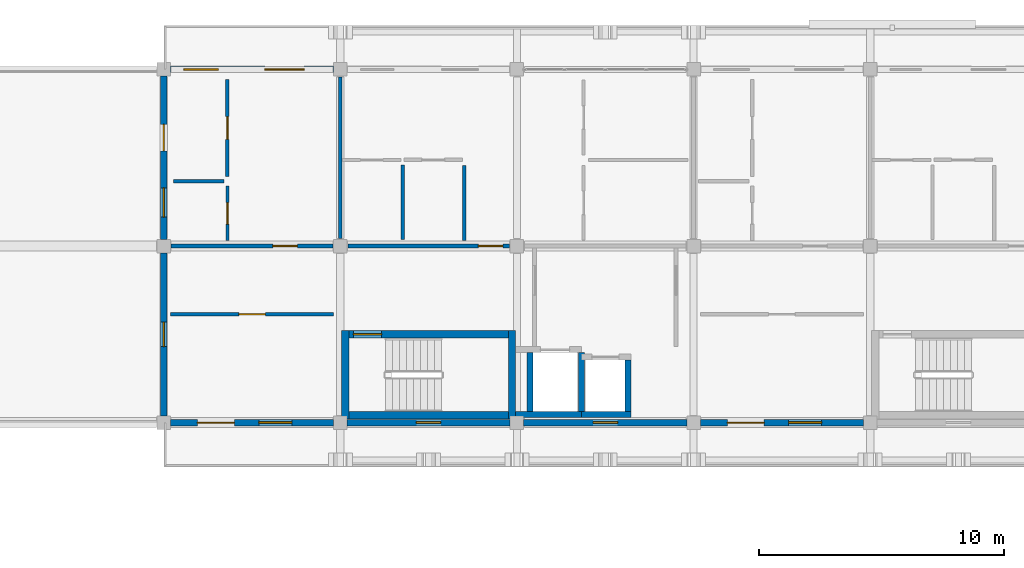
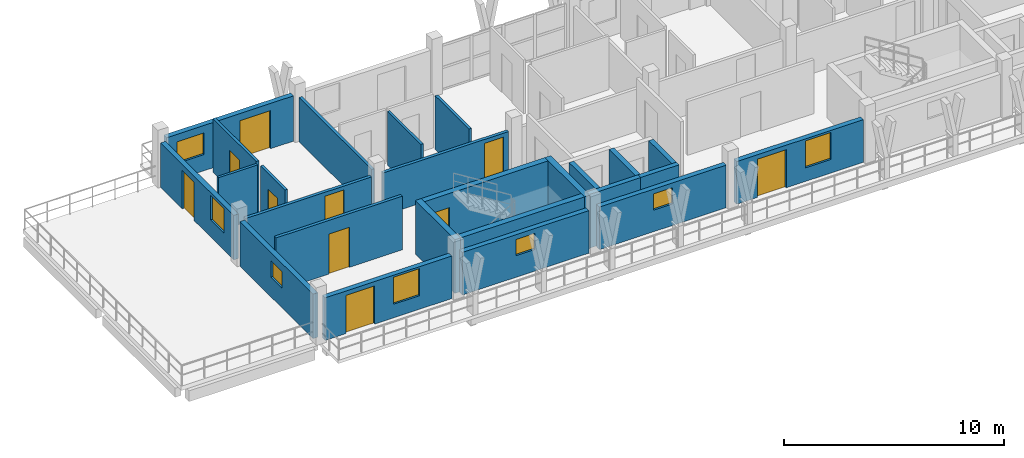
# One storey, part 49 of 73: 25 walls, 10 doors, 7 windows, 17 openings.
"""IFC4 building model written with IfcOpenShell, lengths in metres."""

from ifc_helpers import new_model, si_unit, direction, frame, frame_2d, origin, place, context, subcontext, project, spatial, rectangle, extrude, material, layer, layer_set, type_object, element, fill, save


model = new_model("IFC4")

# Units and contexts
model_context = context("Model", 3, precision=1e-05, world=origin(), true_north=direction((0.0, 1.0)))
body_context = subcontext(model_context, "Body", "Model", "MODEL_VIEW")
ifc_project = project(units=[si_unit("LENGTHUNIT", "METRE"), si_unit("AREAUNIT", "SQUARE_METRE"), si_unit("VOLUMEUNIT", "CUBIC_METRE"), si_unit("PLANEANGLEUNIT", "RADIAN"), si_unit("MASSUNIT", "GRAM", prefix="KILO")], contexts=[model_context])

# Site, building, storey
site_placement = place(None, origin())
site = spatial("IfcSite", under=ifc_project, at=site_placement, CompositionType="ELEMENT")
building_placement = place(site_placement, origin())
building = spatial("IfcBuilding", under=site, at=building_placement, Name="Suanplinth Sawtooth Commons", CompositionType="ELEMENT")
storey_placement = place(building_placement, frame((0.0, 0.0, 21.89990234375)))
storey = spatial("IfcBuildingStorey", under=building, at=storey_placement, Name="L06", CompositionType="ELEMENT", Elevation=21.89990234375)

# Wall
ifc_material_1 = material(Name="Concrete C40/50", Category="concrete")
ifc_layer_1 = layer(ifc_material_1, 0.300048828125, Name="Standard RC stair and lift core wall 300mm")
ifc_layer_set_1 = layer_set([ifc_layer_1], Name="Concrete C40/50")
wall_type_1 = type_object("IfcWallType", Name="W-CR02", PredefinedType="SHEAR", material=ifc_layer_set_1)
wall_1_placement = place(storey_placement, frame((137.14990234375, 108.300048828125, 0.0), z_axis=(0.0, 0.0, 1.0), x_axis=(1.0, 0.0, 0.0)))
element("IfcWall", 1, at=wall_1_placement, inside=storey, type_object=wall_type_1, Name="W-L06-C-B1-STS", PredefinedType="SHEAR", context=body_context, shape_type="SweptSolid", body=[
    extrude(rectangle(XDim=6.5, YDim=0.300048828125, at=frame_2d((3.25, 0.0))), origin(), (0.0, 0.0, 1.0), 2.97998046875),
])

# Wall, opening, door
wall_2_placement = place(storey_placement, frame((137.14990234375, 111.60009765625, 0.0), z_axis=(0.0, 0.0, 1.0), x_axis=(1.0, 0.0, 0.0)))
wall_2 = element("IfcWall", 2, at=wall_2_placement, inside=storey, type_object=wall_type_1, Name="W-L06-C-B1-STN", PredefinedType="SHEAR", context=body_context, shape_type="SweptSolid", body=[
    extrude(rectangle(XDim=6.5, YDim=0.300048828125, at=frame_2d((3.25, 0.0))), origin(), (0.0, 0.0, 1.0), 2.97998046875),
])
opening_1_placement = place(wall_2_placement, frame((0.179931640625, 0.0, 0.0)))
opening_1 = element("IfcOpeningElement", 3, at=opening_1_placement, cuts=wall_2, Name="Opening FD0189", PredefinedType="OPENING", context=body_context, shape_type="SweptSolid", body=[
    extrude(rectangle(XDim=1.14990234375, YDim=2.199951171875, at=frame_2d((0.574951171875, 1.10009765625))), frame((0.0, 0.1650390625, 0.0), z_axis=(0.0, -1.0, 0.0), x_axis=(1.0, 0.0, 0.0)), (0.0, 0.0, 1.0), 0.329833984375),
])
ifc_material_2 = material(Name="Teak hardwood fire-rated door assembly", Category="wood")
door_type_1 = type_object("IfcDoorType", Name="FD-01", OperationType="NOTDEFINED", PredefinedType="DOOR", material=ifc_material_2)
door_1_placement = place(opening_1_placement, frame((1.14990234375, 0.0, 0.0), z_axis=(0.0, 0.0, 1.0), x_axis=(-1.0, 0.0, 0.0)))
door_1 = element("IfcDoor", 4, at=door_1_placement, inside=storey, type_object=door_type_1, Name="Exit Stair Fire Door FD0189", OperationType="SINGLE_SWING_LEFT", OverallHeight=2.199951171875, OverallWidth=1.14990234375, PredefinedType="DOOR", context=body_context, shape_type="SweptSolid", body=[
    extrude(rectangle(XDim=1.14990234375, YDim=2.199951171875, at=frame_2d((0.574951171875, 1.10009765625))), frame((0.0, 0.02490234375, 0.0), z_axis=(0.0, -1.0, 0.0), x_axis=(1.0, 0.0, 0.0)), (0.0, 0.0, 1.0), 0.050048828125),
])
fill(opening_1, door_1)

# Walls
for number, where, z_axis, x_axis, name in (
    (5, (137.0, 108.14990234375, 0.0), (0.0, 0.0, 1.0), (0.0, 1.0, 0.0), "W-L06-C-B1-STW"),
    (6, (143.800048828125, 108.14990234375, 0.0), (0.0, 0.0, 1.0), (0.0, 1.0, 0.0), "W-L06-C-B1-STE"),
):
    element("IfcWall", number, at=place(storey_placement, frame(where, z_axis=z_axis, x_axis=x_axis)), inside=storey, type_object=wall_type_1, Name=name, PredefinedType="SHEAR", context=body_context, shape_type="SweptSolid", body=[
        extrude(rectangle(XDim=3.60009765625, YDim=0.300048828125, at=frame_2d((1.800048828125, 0.0))), origin(), (0.0, 0.0, 1.0), 2.97998046875),
    ])

# Wall, openings, door, window
ifc_material_3 = material(Name="Precast concrete C40/50", Category="concrete")
ifc_layer_2 = layer(ifc_material_3, 0.260009765625, Name="Insulated precast courtyard facade wall 260mm")
ifc_layer_set_2 = layer_set([ifc_layer_2], Name="Precast concrete C40/50")
wall_type_2 = type_object("IfcWallType", Name="W-EX02", PredefinedType="ELEMENTEDWALL", material=ifc_layer_set_2)
wall_3_placement = place(storey_placement, frame((129.875, 108.0, 0.0), z_axis=(0.0, 0.0, 1.0), x_axis=(1.0, 0.0, 0.0)))
wall_3 = element("IfcWall", 7, at=wall_3_placement, inside=storey, type_object=wall_type_2, Name="Facade Wall W-L06-B-S-18-15", PredefinedType="ELEMENTEDWALL", context=body_context, shape_type="SweptSolid", body=[
    extrude(rectangle(XDim=6.64990234375, YDim=0.260009765625, at=frame_2d((3.324951171875, 0.0))), origin(), (0.0, 0.0, 1.0), 2.364990234375),
])
opening_2_placement = place(wall_3_placement, frame((1.10009765625, 0.0, 0.0)))
opening_2 = element("IfcOpeningElement", 8, at=opening_2_placement, cuts=wall_3, Name="Opening ED0499", PredefinedType="OPENING", context=body_context, shape_type="SweptSolid", body=[
    extrude(rectangle(XDim=1.5, YDim=2.1201171875, at=frame_2d((0.75, 1.06005859375))), frame((0.0, 0.14501953125, 0.0), z_axis=(0.0, -1.0, 0.0), x_axis=(1.0, 0.0, 0.0)), (0.0, 0.0, 1.0), 0.289794921875),
])
opening_3_placement = place(wall_3_placement, frame((3.60009765625, 0.0, 0.7548828125)))
opening_3 = element("IfcOpeningElement", 9, at=opening_3_placement, cuts=wall_3, Name="Opening W0583", PredefinedType="OPENING", context=body_context, shape_type="SweptSolid", body=[
    extrude(rectangle(XDim=1.35009765625, YDim=1.5, at=frame_2d((0.675048828125, 0.75))), frame((0.0, 0.14501953125, 0.0), z_axis=(0.0, -1.0, 0.0), x_axis=(1.0, 0.0, 0.0)), (0.0, 0.0, 1.0), 0.289794921875),
])
ifc_material_4 = material(Name="Anodized aluminium and low-E glass", Category="aluminium")
door_type_2 = type_object("IfcDoorType", Name="SD-03", OperationType="SLIDING_TO_LEFT", PredefinedType="DOOR", material=ifc_material_4)
door_2_placement = place(opening_2_placement, frame((1.5, 0.0, 0.0), z_axis=(0.0, 0.0, 1.0), x_axis=(-1.0, 0.0, 0.0)))
door_2 = element("IfcDoor", 10, at=door_2_placement, inside=storey, type_object=door_type_2, Name="Courtyard Balcony Door L06-B-18", OperationType="SLIDING_TO_LEFT", OverallHeight=2.1201171875, OverallWidth=1.5, PredefinedType="DOOR", context=body_context, shape_type="SweptSolid", body=[
    extrude(rectangle(XDim=1.5, YDim=2.1201171875, at=frame_2d((0.75, 1.06005859375))), frame((0.0, 0.02490234375, 0.0), z_axis=(0.0, -1.0, 0.0), x_axis=(1.0, 0.0, 0.0)), (0.0, 0.0, 1.0), 0.050048828125),
])
fill(opening_2, door_2)
ifc_material_5 = material(Name="Thermally broken aluminium and low-E double glazing", Category="aluminium")
window_type_1 = type_object("IfcWindowType", Name="WN-14", PartitioningType="SINGLE_PANEL", PredefinedType="WINDOW", material=ifc_material_5)
window_1_placement = place(opening_3_placement, origin())
window_1 = element("IfcWindow", 11, at=window_1_placement, inside=storey, type_object=window_type_1, Name="Courtyard Window L06-B-18", OverallHeight=1.5, OverallWidth=1.35009765625, PartitioningType="SINGLE_PANEL", PredefinedType="WINDOW", context=body_context, shape_type="SweptSolid", body=[
    extrude(rectangle(XDim=1.35009765625, YDim=1.5, at=frame_2d((0.675048828125, 0.75))), frame((0.0, 0.030029296875, 0.0), z_axis=(0.0, -1.0, 0.0), x_axis=(1.0, 0.0, 0.0)), (0.0, 0.0, 1.0), 0.06005859375),
])
fill(opening_3, window_1)

# Wall, opening, window
wall_4_placement = place(storey_placement, frame((129.60009765625, 108.27490234375, 0.0), z_axis=(0.0, 0.0, 1.0), x_axis=(0.0, 1.0, 0.0)))
wall_4 = element("IfcWall", 12, at=wall_4_placement, inside=storey, type_object=wall_type_2, Name="Facade Wall W-L06-B-W-18-15", PredefinedType="ELEMENTEDWALL", context=body_context, shape_type="SweptSolid", body=[
    extrude(rectangle(XDim=6.650146484375, YDim=0.260009765625, at=frame_2d((3.3251953125, 0.0))), origin(), (0.0, 0.0, 1.0), 2.465087890625),
])
opening_4_placement = place(wall_4_placement, frame((2.824951171875, 0.0, 1.10009765625)))
opening_4 = element("IfcOpeningElement", 13, at=opening_4_placement, cuts=wall_4, Name="Opening W0584", PredefinedType="OPENING", context=body_context, shape_type="SweptSolid", body=[
    extrude(rectangle(XDim=1.0, YDim=0.89990234375, at=frame_2d((0.5, 0.449951171875))), frame((0.0, 0.14501953125, 0.0), z_axis=(0.0, -1.0, 0.0), x_axis=(1.0, 0.0, 0.0)), (0.0, 0.0, 1.0), 0.289794921875),
])
window_type_2 = type_object("IfcWindowType", Name="WN-12", PartitioningType="SINGLE_PANEL", PredefinedType="WINDOW", material=ifc_material_5)
window_2_placement = place(opening_4_placement, origin())
window_2 = element("IfcWindow", 14, at=window_2_placement, inside=storey, type_object=window_type_2, Name="End Window L06-B-W-18-15", OverallHeight=0.89990234375, OverallWidth=1.0, PartitioningType="SINGLE_PANEL", PredefinedType="WINDOW", context=body_context, shape_type="SweptSolid", body=[
    extrude(rectangle(XDim=1.0, YDim=0.89990234375, at=frame_2d((0.5, 0.449951171875))), frame((0.0, 0.030029296875, 0.0), z_axis=(0.0, -1.0, 0.0), x_axis=(1.0, 0.0, 0.0)), (0.0, 0.0, 1.0), 0.06005859375),
])
fill(opening_4, window_2)

# Wall, openings, door, window
wall_5_placement = place(storey_placement, frame((129.875, 122.39990234375, 0.0), z_axis=(0.0, 0.0, 1.0), x_axis=(1.0, 0.0, 0.0)))
wall_5 = element("IfcWall", 15, at=wall_5_placement, inside=storey, type_object=wall_type_2, Name="Facade Wall W-L06-B-N-18-16", PredefinedType="ELEMENTEDWALL", context=body_context, shape_type="SweptSolid", body=[
    extrude(rectangle(XDim=6.64990234375, YDim=0.260009765625, at=frame_2d((3.324951171875, 0.0))), origin(), (0.0, 0.0, 1.0), 2.51513671875),
])
opening_5_placement = place(wall_5_placement, frame((3.85009765625, 0.0, 0.0)))
opening_5 = element("IfcOpeningElement", 16, at=opening_5_placement, cuts=wall_5, Name="Opening ED0500", PredefinedType="OPENING", context=body_context, shape_type="SweptSolid", body=[
    extrude(rectangle(XDim=1.60009765625, YDim=2.1201171875, at=frame_2d((0.800048828125, 1.06005859375))), frame((0.0, 0.14501953125, 0.0), z_axis=(0.0, -1.0, 0.0), x_axis=(1.0, 0.0, 0.0)), (0.0, 0.0, 1.0), 0.289794921875),
])
opening_6_placement = place(wall_5_placement, frame((0.550048828125, 0.0, 0.89990234375)))
opening_6 = element("IfcOpeningElement", 17, at=opening_6_placement, cuts=wall_5, Name="Opening W0585", PredefinedType="OPENING", context=body_context, shape_type="SweptSolid", body=[
    extrude(rectangle(XDim=1.39990234375, YDim=1.199951171875, at=frame_2d((0.699951171875, 0.60009765625))), frame((0.0, 0.14501953125, 0.0), z_axis=(0.0, -1.0, 0.0), x_axis=(1.0, 0.0, 0.0)), (0.0, 0.0, 1.0), 0.289794921875),
])
door_type_3 = type_object("IfcDoorType", Name="SD-02", OperationType="SLIDING_TO_RIGHT", PredefinedType="DOOR", material=ifc_material_4)
door_3_placement = place(opening_5_placement, frame((1.60009765625, 0.0, 0.0), z_axis=(0.0, 0.0, 1.0), x_axis=(-1.0, 0.0, 0.0)))
door_3 = element("IfcDoor", 18, at=door_3_placement, inside=storey, type_object=door_type_3, Name="Balcony Sliding Door L06-B-18", OperationType="SLIDING_TO_RIGHT", OverallHeight=2.1201171875, OverallWidth=1.60009765625, PredefinedType="DOOR", context=body_context, shape_type="SweptSolid", body=[
    extrude(rectangle(XDim=1.60009765625, YDim=2.1201171875, at=frame_2d((0.800048828125, 1.06005859375))), frame((0.0, 0.02490234375, 0.0), z_axis=(0.0, -1.0, 0.0), x_axis=(1.0, 0.0, 0.0)), (0.0, 0.0, 1.0), 0.050048828125),
])
fill(opening_5, door_3)
window_type_3 = type_object("IfcWindowType", Name="WN-10", PartitioningType="DOUBLE_PANEL_HORIZONTAL", PredefinedType="WINDOW", material=ifc_material_5)
window_3_placement = place(opening_6_placement, origin())
window_3 = element("IfcWindow", 19, at=window_3_placement, inside=storey, type_object=window_type_3, Name="Apartment Window L06-B-18", OverallHeight=1.199951171875, OverallWidth=1.39990234375, PartitioningType="DOUBLE_PANEL_HORIZONTAL", PredefinedType="WINDOW", context=body_context, shape_type="SweptSolid", body=[
    extrude(rectangle(XDim=1.39990234375, YDim=1.199951171875, at=frame_2d((0.699951171875, 0.60009765625))), frame((0.0, 0.030029296875, 0.0), z_axis=(0.0, -1.0, 0.0), x_axis=(1.0, 0.0, 0.0)), (0.0, 0.0, 1.0), 0.06005859375),
])
fill(opening_6, window_3)

wall_6_placement = place(storey_placement, frame((129.60009765625, 115.47509765625, 0.0), z_axis=(0.0, 0.0, 1.0), x_axis=(0.0, 1.0, 0.0)))
wall_6 = element("IfcWall", 20, at=wall_6_placement, inside=storey, type_object=wall_type_2, Name="Facade Wall W-L06-B-W-18-16", PredefinedType="ELEMENTEDWALL", context=body_context, shape_type="SweptSolid", body=[
    extrude(rectangle(XDim=6.64990234375, YDim=0.260009765625, at=frame_2d((3.324951171875, 0.0))), origin(), (0.0, 0.0, 1.0), 2.465087890625),
])
opening_7_placement = place(wall_6_placement, frame((3.60009765625, 0.0, 0.0)))
opening_7 = element("IfcOpeningElement", 21, at=opening_7_placement, cuts=wall_6, Name="Opening ED0501", PredefinedType="OPENING", context=body_context, shape_type="SweptSolid", body=[
    extrude(rectangle(XDim=1.080078125, YDim=2.1201171875, at=frame_2d((0.5400390625, 1.06005859375))), frame((0.0, 0.14501953125, 0.0), z_axis=(0.0, -1.0, 0.0), x_axis=(1.0, 0.0, 0.0)), (0.0, 0.0, 1.0), 0.289794921875),
])
opening_8_placement = place(wall_6_placement, frame((0.89990234375, 0.0, 0.949951171875)))
opening_8 = element("IfcOpeningElement", 22, at=opening_8_placement, cuts=wall_6, Name="Opening W0586", PredefinedType="OPENING", context=body_context, shape_type="SweptSolid", body=[
    extrude(rectangle(XDim=1.199951171875, YDim=1.35009765625, at=frame_2d((0.60009765625, 0.675048828125))), frame((0.0, 0.14501953125, 0.0), z_axis=(0.0, -1.0, 0.0), x_axis=(1.0, 0.0, 0.0)), (0.0, 0.0, 1.0), 0.289794921875),
])
door_type_4 = type_object("IfcDoorType", Name="ED-10", OperationType="NOTDEFINED", PredefinedType="DOOR", material=ifc_material_4)
door_4_placement = place(opening_7_placement, frame((1.080078125, 0.0, 0.0), z_axis=(0.0, 0.0, 1.0), x_axis=(-1.0, 0.0, 0.0)))
door_4 = element("IfcDoor", 23, at=door_4_placement, inside=storey, type_object=door_type_4, Name="L06 Block B Stepped Sky-Terrace Door 1", OperationType="SINGLE_SWING_RIGHT", OverallHeight=2.1201171875, OverallWidth=1.080078125, PredefinedType="DOOR", context=body_context, shape_type="SweptSolid", body=[
    extrude(rectangle(XDim=1.080078125, YDim=2.1201171875, at=frame_2d((0.5400390625, 1.06005859375))), frame((0.0, 0.02490234375, 0.0), z_axis=(0.0, -1.0, 0.0), x_axis=(1.0, 0.0, 0.0)), (0.0, 0.0, 1.0), 0.050048828125),
])
fill(opening_7, door_4)
window_type_4 = type_object("IfcWindowType", Name="WN-03", PartitioningType="SINGLE_PANEL", PredefinedType="WINDOW", material=ifc_material_5)
window_4_placement = place(opening_8_placement, origin())
window_4 = element("IfcWindow", 24, at=window_4_placement, inside=storey, type_object=window_type_4, Name="Terrace Bedroom Window L06-B-18-16", OverallHeight=1.35009765625, OverallWidth=1.199951171875, PartitioningType="SINGLE_PANEL", PredefinedType="WINDOW", context=body_context, shape_type="SweptSolid", body=[
    extrude(rectangle(XDim=1.199951171875, YDim=1.35009765625, at=frame_2d((0.60009765625, 0.675048828125))), frame((0.0, 0.030029296875, 0.0), z_axis=(0.0, -1.0, 0.0), x_axis=(1.0, 0.0, 0.0)), (0.0, 0.0, 1.0), 0.06005859375),
])
fill(opening_8, window_4)

# Wall, opening, window
wall_7_placement = place(storey_placement, frame((137.074951171875, 108.0, 0.0), z_axis=(0.0, 0.0, 1.0), x_axis=(1.0, 0.0, 0.0)))
wall_7 = element("IfcWall", 25, at=wall_7_placement, inside=storey, type_object=wall_type_2, Name="Facade Wall W-L06-B-S-19-15", PredefinedType="ELEMENTEDWALL", context=body_context, shape_type="SweptSolid", body=[
    extrude(rectangle(XDim=6.650146484375, YDim=0.260009765625, at=frame_2d((3.3251953125, 0.0))), origin(), (0.0, 0.0, 1.0), 2.364990234375),
])
opening_9_placement = place(wall_7_placement, frame((2.824951171875, 0.0, 1.199951171875)))
opening_9 = element("IfcOpeningElement", 26, at=opening_9_placement, cuts=wall_7, Name="Opening W0587", PredefinedType="OPENING", context=body_context, shape_type="SweptSolid", body=[
    extrude(rectangle(XDim=1.0, YDim=0.89990234375, at=frame_2d((0.5, 0.449951171875))), frame((0.0, 0.14501953125, 0.0), z_axis=(0.0, -1.0, 0.0), x_axis=(1.0, 0.0, 0.0)), (0.0, 0.0, 1.0), 0.289794921875),
])
window_5_placement = place(opening_9_placement, origin())
window_5 = element("IfcWindow", 27, at=window_5_placement, inside=storey, type_object=window_type_2, Name="Core Daylight Window L06-B-19-15", OverallHeight=0.89990234375, OverallWidth=1.0, PartitioningType="SINGLE_PANEL", PredefinedType="WINDOW", context=body_context, shape_type="SweptSolid", body=[
    extrude(rectangle(XDim=1.0, YDim=0.89990234375, at=frame_2d((0.5, 0.449951171875))), frame((0.0, 0.030029296875, 0.0), z_axis=(0.0, -1.0, 0.0), x_axis=(1.0, 0.0, 0.0)), (0.0, 0.0, 1.0), 0.06005859375),
])
fill(opening_9, window_5)

wall_8_placement = place(storey_placement, frame((144.27490234375, 108.0, 0.0), z_axis=(0.0, 0.0, 1.0), x_axis=(1.0, 0.0, 0.0)))
wall_8 = element("IfcWall", 28, at=wall_8_placement, inside=storey, type_object=wall_type_2, Name="Facade Wall W-L06-B-S-20-15", PredefinedType="ELEMENTEDWALL", context=body_context, shape_type="SweptSolid", body=[
    extrude(rectangle(XDim=6.650146484375, YDim=0.260009765625, at=frame_2d((3.3251953125, 0.0))), origin(), (0.0, 0.0, 1.0), 2.364990234375),
])
opening_10_placement = place(wall_8_placement, frame((2.824951171875, 0.0, 1.199951171875)))
opening_10 = element("IfcOpeningElement", 29, at=opening_10_placement, cuts=wall_8, Name="Opening W0589", PredefinedType="OPENING", context=body_context, shape_type="SweptSolid", body=[
    extrude(rectangle(XDim=1.0, YDim=0.89990234375, at=frame_2d((0.5, 0.449951171875))), frame((0.0, 0.14501953125, 0.0), z_axis=(0.0, -1.0, 0.0), x_axis=(1.0, 0.0, 0.0)), (0.0, 0.0, 1.0), 0.289794921875),
])
window_6_placement = place(opening_10_placement, origin())
window_6 = element("IfcWindow", 30, at=window_6_placement, inside=storey, type_object=window_type_2, Name="Core Daylight Window L06-B-20-15", OverallHeight=0.89990234375, OverallWidth=1.0, PartitioningType="SINGLE_PANEL", PredefinedType="WINDOW", context=body_context, shape_type="SweptSolid", body=[
    extrude(rectangle(XDim=1.0, YDim=0.89990234375, at=frame_2d((0.5, 0.449951171875))), frame((0.0, 0.030029296875, 0.0), z_axis=(0.0, -1.0, 0.0), x_axis=(1.0, 0.0, 0.0)), (0.0, 0.0, 1.0), 0.06005859375),
])
fill(opening_10, window_6)

# Wall, openings, door, window
wall_9_placement = place(storey_placement, frame((151.47509765625, 108.0, 0.0), z_axis=(0.0, 0.0, 1.0), x_axis=(1.0, 0.0, 0.0)))
wall_9 = element("IfcWall", 31, at=wall_9_placement, inside=storey, type_object=wall_type_2, Name="Facade Wall W-L06-B-S-21-15", PredefinedType="ELEMENTEDWALL", context=body_context, shape_type="SweptSolid", body=[
    extrude(rectangle(XDim=6.64990234375, YDim=0.260009765625, at=frame_2d((3.324951171875, 0.0))), origin(), (0.0, 0.0, 1.0), 2.364990234375),
])
opening_11_placement = place(wall_9_placement, frame((1.10009765625, 0.0, 0.0)))
opening_11 = element("IfcOpeningElement", 32, at=opening_11_placement, cuts=wall_9, Name="Opening ED0503", PredefinedType="OPENING", context=body_context, shape_type="SweptSolid", body=[
    extrude(rectangle(XDim=1.5, YDim=2.1201171875, at=frame_2d((0.75, 1.06005859375))), frame((0.0, 0.14501953125, 0.0), z_axis=(0.0, -1.0, 0.0), x_axis=(1.0, 0.0, 0.0)), (0.0, 0.0, 1.0), 0.289794921875),
])
opening_12_placement = place(wall_9_placement, frame((3.60009765625, 0.0, 0.7548828125)))
opening_12 = element("IfcOpeningElement", 33, at=opening_12_placement, cuts=wall_9, Name="Opening W0590", PredefinedType="OPENING", context=body_context, shape_type="SweptSolid", body=[
    extrude(rectangle(XDim=1.35009765625, YDim=1.5, at=frame_2d((0.675048828125, 0.75))), frame((0.0, 0.14501953125, 0.0), z_axis=(0.0, -1.0, 0.0), x_axis=(1.0, 0.0, 0.0)), (0.0, 0.0, 1.0), 0.289794921875),
])
door_5_placement = place(opening_11_placement, frame((1.5, 0.0, 0.0), z_axis=(0.0, 0.0, 1.0), x_axis=(-1.0, 0.0, 0.0)))
door_5 = element("IfcDoor", 34, at=door_5_placement, inside=storey, type_object=door_type_2, Name="Courtyard Balcony Door L06-B-21", OperationType="SLIDING_TO_LEFT", OverallHeight=2.1201171875, OverallWidth=1.5, PredefinedType="DOOR", context=body_context, shape_type="SweptSolid", body=[
    extrude(rectangle(XDim=1.5, YDim=2.1201171875, at=frame_2d((0.75, 1.06005859375))), frame((0.0, 0.02490234375, 0.0), z_axis=(0.0, -1.0, 0.0), x_axis=(1.0, 0.0, 0.0)), (0.0, 0.0, 1.0), 0.050048828125),
])
fill(opening_11, door_5)
window_7_placement = place(opening_12_placement, origin())
window_7 = element("IfcWindow", 35, at=window_7_placement, inside=storey, type_object=window_type_1, Name="Courtyard Window L06-B-21", OverallHeight=1.5, OverallWidth=1.35009765625, PartitioningType="SINGLE_PANEL", PredefinedType="WINDOW", context=body_context, shape_type="SweptSolid", body=[
    extrude(rectangle(XDim=1.35009765625, YDim=1.5, at=frame_2d((0.675048828125, 0.75))), frame((0.0, 0.030029296875, 0.0), z_axis=(0.0, -1.0, 0.0), x_axis=(1.0, 0.0, 0.0)), (0.0, 0.0, 1.0), 0.06005859375),
])
fill(opening_12, window_7)

# Wall, opening, door
ifc_layer_3 = layer(ifc_material_3, 0.159912109375, Name="Fire-rated corridor and lobby wall 160mm")
ifc_layer_set_3 = layer_set([ifc_layer_3], Name="Precast concrete C40/50")
wall_type_3 = type_object("IfcWallType", Name="W-FW01", PredefinedType="PARTITIONING", material=ifc_layer_set_3)
wall_10_placement = place(storey_placement, frame((129.905029296875, 115.199951171875, 0.0), z_axis=(0.0, 0.0, 1.0), x_axis=(1.0, 0.0, 0.0)))
wall_10 = element("IfcWall", 36, at=wall_10_placement, inside=storey, type_object=wall_type_3, Name="W-B-L06-U01-COR", PredefinedType="PARTITIONING", context=body_context, shape_type="SweptSolid", body=[
    extrude(rectangle(XDim=6.590087890625, YDim=0.159912109375, at=frame_2d((3.294921875, 0.0))), origin(), (0.0, 0.0, 1.0), 2.364990234375),
])
opening_13_placement = place(wall_10_placement, frame((4.14501953125, 0.0, 0.0)))
opening_13 = element("IfcOpeningElement", 37, at=opening_13_placement, cuts=wall_10, Name="Opening FD1404", PredefinedType="OPENING", context=body_context, shape_type="SweptSolid", body=[
    extrude(rectangle(XDim=1.0, YDim=2.14990234375, at=frame_2d((0.5, 1.074951171875))), frame((0.0, 0.0947265625, 0.0), z_axis=(0.0, -1.0, 0.0), x_axis=(1.0, 0.0, 0.0)), (0.0, 0.0, 1.0), 0.189697265625),
])
door_type_5 = type_object("IfcDoorType", Name="FD-03", OperationType="NOTDEFINED", PredefinedType="DOOR", material=ifc_material_2)
door_6_placement = place(opening_13_placement, origin())
door_6 = element("IfcDoor", 38, at=door_6_placement, inside=storey, type_object=door_type_5, Name="Unit Entrance Door FD1404", OperationType="SINGLE_SWING_RIGHT", OverallHeight=2.14990234375, OverallWidth=1.0, PredefinedType="DOOR", context=body_context, shape_type="SweptSolid", body=[
    extrude(rectangle(XDim=1.0, YDim=2.14990234375, at=frame_2d((0.5, 1.074951171875))), frame((0.0, 0.02490234375, 0.0), z_axis=(0.0, -1.0, 0.0), x_axis=(1.0, 0.0, 0.0)), (0.0, 0.0, 1.0), 0.050048828125),
])
fill(opening_13, door_6)

wall_11_placement = place(storey_placement, frame((137.10498046875, 115.199951171875, 0.0), z_axis=(0.0, 0.0, 1.0), x_axis=(1.0, 0.0, 0.0)))
wall_11 = element("IfcWall", 39, at=wall_11_placement, inside=storey, type_object=wall_type_3, Name="W-B-L06-U02-COR-S1", PredefinedType="PARTITIONING", context=body_context, shape_type="SweptSolid", body=[
    extrude(rectangle(XDim=6.590087890625, YDim=0.159912109375, at=frame_2d((3.294921875, 0.0))), origin(), (0.0, 0.0, 1.0), 2.364990234375),
])
opening_14_placement = place(wall_11_placement, frame((5.324951171875, 0.0, 0.0)))
opening_14 = element("IfcOpeningElement", 40, at=opening_14_placement, cuts=wall_11, Name="Opening FD1407", PredefinedType="OPENING", context=body_context, shape_type="SweptSolid", body=[
    extrude(rectangle(XDim=1.0, YDim=2.14990234375, at=frame_2d((0.5, 1.074951171875))), frame((0.0, 0.0947265625, 0.0), z_axis=(0.0, -1.0, 0.0), x_axis=(1.0, 0.0, 0.0)), (0.0, 0.0, 1.0), 0.189697265625),
])
door_7_placement = place(opening_14_placement, origin())
door_7 = element("IfcDoor", 41, at=door_7_placement, inside=storey, type_object=door_type_5, Name="Unit Entrance Door FD1407", OperationType="SINGLE_SWING_LEFT", OverallHeight=2.14990234375, OverallWidth=1.0, PredefinedType="DOOR", context=body_context, shape_type="SweptSolid", body=[
    extrude(rectangle(XDim=1.0, YDim=2.14990234375, at=frame_2d((0.5, 1.074951171875))), frame((0.0, 0.02490234375, 0.0), z_axis=(0.0, -1.0, 0.0), x_axis=(1.0, 0.0, 0.0)), (0.0, 0.0, 1.0), 0.050048828125),
])
fill(opening_14, door_7)

wall_12_placement = place(storey_placement, frame((129.8798828125, 112.419921875, 0.0), z_axis=(0.0, 0.0, 1.0), x_axis=(1.0, 0.0, 0.0)))
wall_12 = element("IfcWall", 42, at=wall_12_placement, inside=storey, type_object=wall_type_3, Name="W-B-L06-COURTROOM-27-COR", PredefinedType="PARTITIONING", context=body_context, shape_type="SweptSolid", body=[
    extrude(rectangle(XDim=6.64013671875, YDim=0.159912109375, at=frame_2d((3.320068359375, 0.0))), origin(), (0.0, 0.0, 1.0), 2.97998046875),
])
opening_15_placement = place(wall_12_placement, frame((2.780029296875, 0.0, 0.0)))
opening_15 = element("IfcOpeningElement", 43, at=opening_15_placement, cuts=wall_12, Name="Opening D1427", PredefinedType="OPENING", context=body_context, shape_type="SweptSolid", body=[
    extrude(rectangle(XDim=1.080078125, YDim=2.219970703125, at=frame_2d((0.5400390625, 1.10986328125))), frame((0.0, 0.0947265625, 0.0), z_axis=(0.0, -1.0, 0.0), x_axis=(1.0, 0.0, 0.0)), (0.0, 0.0, 1.0), 0.189697265625),
])
ifc_material_6 = material(Name="Teak hardwood", Category="wood")
door_type_6 = type_object("IfcDoorType", Name="D-17", OperationType="NOTDEFINED", PredefinedType="DOOR", material=ifc_material_6)
door_8_placement = place(opening_15_placement, frame((1.080078125, 0.0, 0.0), z_axis=(0.0, 0.0, 1.0), x_axis=(-1.0, 0.0, 0.0)))
door_8 = element("IfcDoor", 44, at=door_8_placement, inside=storey, type_object=door_type_6, Name="Study Studio Door D1427", OperationType="SINGLE_SWING_LEFT", OverallHeight=2.219970703125, OverallWidth=1.080078125, PredefinedType="DOOR", context=body_context, shape_type="SweptSolid", body=[
    extrude(rectangle(XDim=1.080078125, YDim=2.219970703125, at=frame_2d((0.5400390625, 1.10986328125))), frame((0.0, 0.02490234375, 0.0), z_axis=(0.0, -1.0, 0.0), x_axis=(1.0, 0.0, 0.0)), (0.0, 0.0, 1.0), 0.050048828125),
])
fill(opening_15, door_8)

# Wall
ifc_layer_4 = layer(ifc_material_3, 0.14990234375, Name="Acoustic precast party demising wall 150mm")
ifc_layer_set_4 = layer_set([ifc_layer_4], Name="Precast concrete C40/50")
wall_type_4 = type_object("IfcWallType", Name="W-FW02", PredefinedType="PARTITIONING", material=ifc_layer_set_4)
wall_13_placement = place(storey_placement, frame((136.800048828125, 115.5048828125, 0.0), z_axis=(0.0, 0.0, 1.0), x_axis=(0.0, 1.0, 0.0)))
element("IfcWall", 45, at=wall_13_placement, inside=storey, type_object=wall_type_4, Name="W-B-L06-U01-PTY", PredefinedType="PARTITIONING", context=body_context, shape_type="SweptSolid", body=[
    extrude(rectangle(XDim=6.590087890625, YDim=0.14990234375, at=frame_2d((3.294921875, 0.0))), origin(), (0.0, 0.0, 1.0), 2.465087890625),
])

# Wall, opening, door
ifc_material_7 = material(Name="Gypsum plasterboard on steel stud", Category="steel")
ifc_layer_5 = layer(ifc_material_7, 0.139892578125, Name="Fire-rated kitchen partition 140mm")
ifc_layer_set_5 = layer_set([ifc_layer_5], Name="Gypsum plasterboard on steel stud")
wall_type_5 = type_object("IfcWallType", Name="W-PT01", PredefinedType="PARTITIONING", material=ifc_layer_set_5)
wall_14_placement = place(storey_placement, frame((132.195068359375, 118.0400390625, 0.0), z_axis=(0.0, 0.0, 1.0), x_axis=(0.0, 1.0, 0.0)))
wall_14 = element("IfcWall", 46, at=wall_14_placement, inside=storey, type_object=wall_type_5, Name="W-B-L06-U01-KITE", PredefinedType="PARTITIONING", context=body_context, shape_type="SweptSolid", body=[
    extrude(rectangle(XDim=3.93994140625, YDim=0.139892578125, at=frame_2d((1.969970703125, 0.0))), origin(), (0.0, 0.0, 1.0), 2.97998046875),
])
opening_16_placement = place(wall_14_placement, frame((1.5048828125, 0.0, 0.0)))
opening_16 = element("IfcOpeningElement", 47, at=opening_16_placement, cuts=wall_14, Name="Opening D1406", PredefinedType="OPENING", context=body_context, shape_type="SweptSolid", body=[
    extrude(rectangle(XDim=0.929931640625, YDim=2.139892578125, at=frame_2d((0.46484375, 1.06982421875))), frame((0.0, 0.0849609375, 0.0), z_axis=(0.0, -1.0, 0.0), x_axis=(1.0, 0.0, 0.0)), (0.0, 0.0, 1.0), 0.169677734375),
])
door_type_7 = type_object("IfcDoorType", Name="D-19", OperationType="NOTDEFINED", PredefinedType="DOOR", material=ifc_material_6)
door_9_placement = place(opening_16_placement, origin())
door_9 = element("IfcDoor", 48, at=door_9_placement, inside=storey, type_object=door_type_7, Name="Kitchen Door D1406", OperationType="SINGLE_SWING_RIGHT", OverallHeight=2.139892578125, OverallWidth=0.929931640625, PredefinedType="DOOR", context=body_context, shape_type="SweptSolid", body=[
    extrude(rectangle(XDim=0.929931640625, YDim=2.139892578125, at=frame_2d((0.46484375, 1.06982421875))), frame((0.0, 0.02490234375, 0.0), z_axis=(0.0, -1.0, 0.0), x_axis=(1.0, 0.0, 0.0)), (0.0, 0.0, 1.0), 0.050048828125),
])
fill(opening_16, door_9)

# Walls
wall_15_placement = place(storey_placement, frame((141.85009765625, 115.429931640625, 0.0), z_axis=(0.0, 0.0, 1.0), x_axis=(0.0, 1.0, 0.0)))
element("IfcWall", 49, at=wall_15_placement, inside=storey, type_object=wall_type_5, Name="W-B-L06-U02-KIT2", PredefinedType="PARTITIONING", context=body_context, shape_type="SweptSolid", body=[
    extrude(rectangle(XDim=3.06005859375, YDim=0.139892578125, at=frame_2d((1.530029296875, 0.0))), origin(), (0.0, 0.0, 1.0), 2.97998046875),
])
ifc_layer_6 = layer(ifc_material_7, 0.1298828125, Name="Moisture-resistant bathroom partition 130mm")
ifc_layer_set_6 = layer_set([ifc_layer_6], Name="Gypsum plasterboard on steel stud")
wall_type_6 = type_object("IfcWallType", Name="W-PT02", PredefinedType="PARTITIONING", material=ifc_layer_set_6)
wall_16_placement = place(storey_placement, frame((130.0, 117.840087890625, 0.0), z_axis=(0.0, 0.0, 1.0), x_axis=(1.0, 0.0, 0.0)))
element("IfcWall", 50, at=wall_16_placement, inside=storey, type_object=wall_type_6, Name="W-B-L06-U01-STDIV", PredefinedType="PARTITIONING", context=body_context, shape_type="SweptSolid", body=[
    extrude(rectangle(XDim=2.050048828125, YDim=0.1298828125, at=frame_2d((1.02490234375, 0.0))), origin(), (0.0, 0.0, 1.0), 2.97998046875),
])

# Wall, opening, door
wall_17_placement = place(storey_placement, frame((132.195068359375, 115.419921875, 0.0), z_axis=(0.0, 0.0, 1.0), x_axis=(0.0, 1.0, 0.0)))
wall_17 = element("IfcWall", 51, at=wall_17_placement, inside=storey, type_object=wall_type_6, Name="W-B-L06-U01-BTHE", PredefinedType="PARTITIONING", context=body_context, shape_type="SweptSolid", body=[
    extrude(rectangle(XDim=2.219970703125, YDim=0.1298828125, at=frame_2d((1.10986328125, 0.0))), origin(), (0.0, 0.0, 1.0), 2.97998046875),
])
opening_17_placement = place(wall_17_placement, frame((0.669921875, 0.0, 0.0)))
opening_17 = element("IfcOpeningElement", 52, at=opening_17_placement, cuts=wall_17, Name="Opening D1405", PredefinedType="OPENING", context=body_context, shape_type="SweptSolid", body=[
    extrude(rectangle(XDim=0.8798828125, YDim=2.10009765625, at=frame_2d((0.43994140625, 1.050048828125))), frame((0.0, 0.079833984375, 0.0), z_axis=(0.0, -1.0, 0.0), x_axis=(1.0, 0.0, 0.0)), (0.0, 0.0, 1.0), 0.15966796875),
])
door_type_8 = type_object("IfcDoorType", Name="D-14", OperationType="NOTDEFINED", PredefinedType="DOOR", material=ifc_material_6)
door_10_placement = place(opening_17_placement, origin())
door_10 = element("IfcDoor", 53, at=door_10_placement, inside=storey, type_object=door_type_8, Name="Bathroom Door D1405", OperationType="SINGLE_SWING_LEFT", OverallHeight=2.10009765625, OverallWidth=0.8798828125, PredefinedType="DOOR", context=body_context, shape_type="SweptSolid", body=[
    extrude(rectangle(XDim=0.8798828125, YDim=2.10009765625, at=frame_2d((0.43994140625, 1.050048828125))), frame((0.0, 0.02490234375, 0.0), z_axis=(0.0, -1.0, 0.0), x_axis=(1.0, 0.0, 0.0)), (0.0, 0.0, 1.0), 0.050048828125),
])
fill(opening_17, door_10)

# Walls
wall_18_placement = place(storey_placement, frame((139.344970703125, 115.4599609375, 0.0), z_axis=(0.0, 0.0, 1.0), x_axis=(0.0, 1.0, 0.0)))
element("IfcWall", 54, at=wall_18_placement, inside=storey, type_object=wall_type_6, Name="W-B-L06-U02-BTH2", PredefinedType="PARTITIONING", context=body_context, shape_type="SweptSolid", body=[
    extrude(rectangle(XDim=3.0400390625, YDim=0.1298828125, at=frame_2d((1.52001953125, 0.0))), origin(), (0.0, 0.0, 1.0), 2.97998046875),
])
ifc_layer_7 = layer(ifc_material_3, 0.25, Name="Precast structural shear wall 250mm")
ifc_layer_set_7 = layer_set([ifc_layer_7], Name="Precast concrete C40/50")
wall_type_7 = type_object("IfcWallType", Name="W-SH01", PredefinedType="SHEAR", material=ifc_layer_set_7)
wall_19_placement = place(storey_placement, frame((143.949951171875, 108.324951171875, 0.0), z_axis=(0.0, 0.0, 1.0), x_axis=(1.0, 0.0, 0.0)))
element("IfcWall", 55, at=wall_19_placement, inside=storey, type_object=wall_type_7, Name="W-L06-FL2-S", PredefinedType="SHEAR", context=body_context, shape_type="SweptSolid", body=[
    extrude(rectangle(XDim=2.675048828125, YDim=0.25, at=frame_2d((1.33740234375, 0.0))), origin(), (0.0, 0.0, 1.0), 2.97998046875),
])
for number, where, z_axis, x_axis, name in (
    (56, (144.52490234375, 108.449951171875, 0.0), (0.0, 0.0, 1.0), (0.0, 1.0, 0.0), "W-L06-FL2-W"),
    (57, (146.625, 108.449951171875, 0.0), (0.0, 0.0, 1.0), (0.0, 1.0, 0.0), "W-L06-FL2-DIV"),
):
    element("IfcWall", number, at=place(storey_placement, frame(where, z_axis=z_axis, x_axis=x_axis)), inside=storey, type_object=wall_type_7, Name=name, PredefinedType="SHEAR", context=body_context, shape_type="SweptSolid", body=[
        extrude(rectangle(XDim=2.400146484375, YDim=0.25, at=frame_2d((1.2001953125, 0.0))), origin(), (0.0, 0.0, 1.0), 2.97998046875),
    ])
wall_20_placement = place(storey_placement, frame((146.625, 108.324951171875, 0.0), z_axis=(0.0, 0.0, 1.0), x_axis=(1.0, 0.0, 0.0)))
element("IfcWall", 58, at=wall_20_placement, inside=storey, type_object=wall_type_7, Name="W-L06-LF3-S", PredefinedType="SHEAR", context=body_context, shape_type="SweptSolid", body=[
    extrude(rectangle(XDim=2.02490234375, YDim=0.25, at=frame_2d((1.012451171875, 0.0))), origin(), (0.0, 0.0, 1.0), 2.97998046875),
])
wall_21_placement = place(storey_placement, frame((148.52490234375, 108.449951171875, 0.0), z_axis=(0.0, 0.0, 1.0), x_axis=(0.0, 1.0, 0.0)))
element("IfcWall", 59, at=wall_21_placement, inside=storey, type_object=wall_type_7, Name="W-L06-LF3-E", PredefinedType="SHEAR", context=body_context, shape_type="SweptSolid", body=[
    extrude(rectangle(XDim=2.10009765625, YDim=0.25, at=frame_2d((1.050048828125, 0.0))), origin(), (0.0, 0.0, 1.0), 2.97998046875),
])

save(model, "model.ifc")
